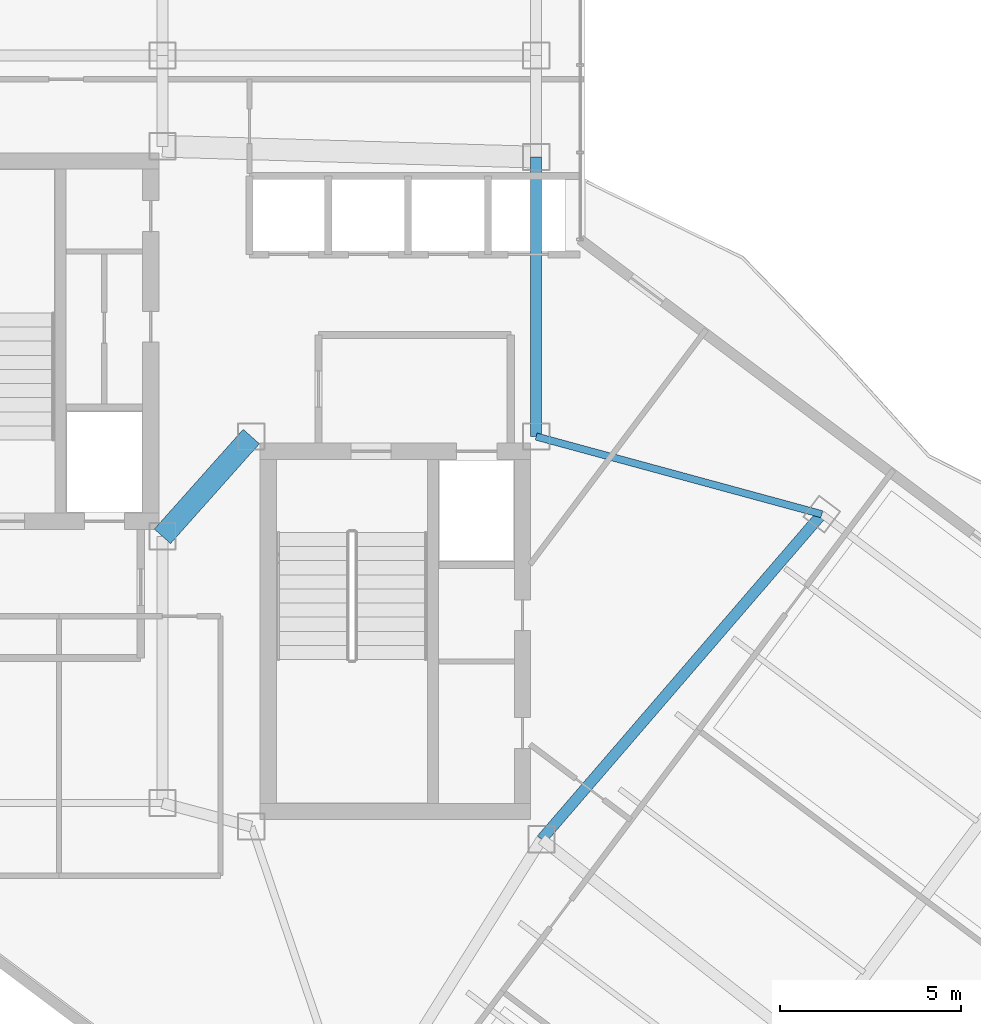
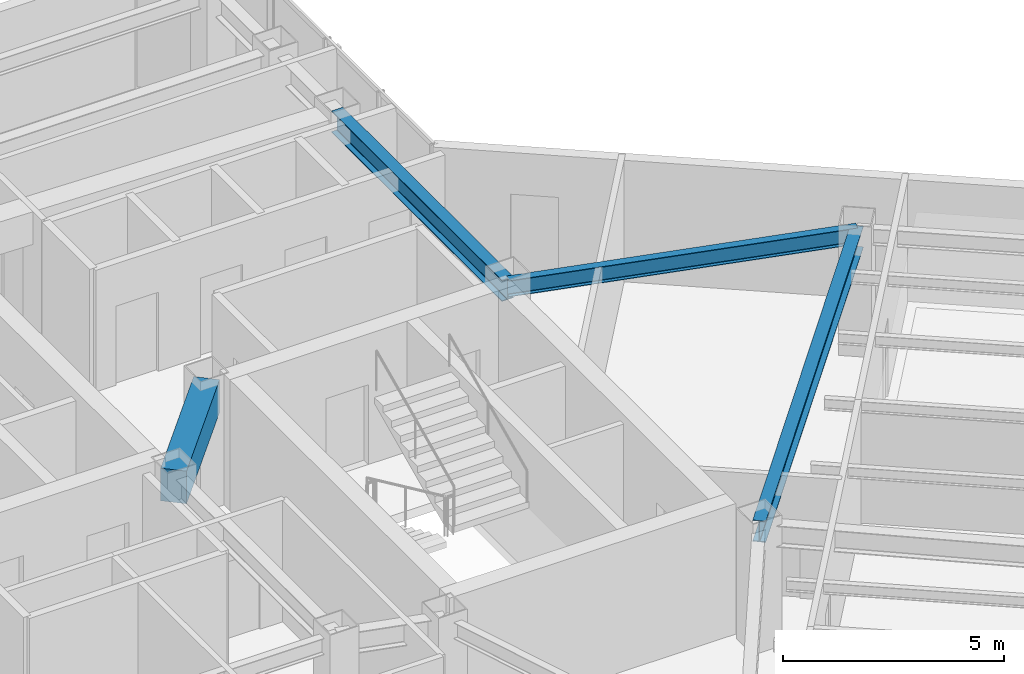
# One storey, part 9 of 26: 4 beams.
"""IFC4 building model written with IfcOpenShell, lengths in metres."""

from ifc_helpers import new_model, si_unit, direction, frame, origin, origin_2d, place, context, subcontext, project, spatial, rectangle, i_section, extrude, material, material_profile, profile_set, type_object, element, save


model = new_model("IFC4")

# Units and contexts
model_context = context("Model", 3, precision=1e-05, world=origin(), true_north=direction((0.0, 1.0)))
body_context = subcontext(model_context, "Body", "Model", "MODEL_VIEW")
ifc_project = project(units=[si_unit("LENGTHUNIT", "METRE"), si_unit("AREAUNIT", "SQUARE_METRE"), si_unit("VOLUMEUNIT", "CUBIC_METRE"), si_unit("PLANEANGLEUNIT", "RADIAN"), si_unit("MASSUNIT", "GRAM", prefix="KILO")], contexts=[model_context])

# Site, building, storey
site_placement = place(None, origin())
site = spatial("IfcSite", under=ifc_project, at=site_placement, CompositionType="ELEMENT")
building_placement = place(site_placement, origin())
building = spatial("IfcBuilding", under=site, at=building_placement, Name="Hatsunagi Terrace Concourse", CompositionType="ELEMENT")
storey_placement = place(building_placement, frame((0.0, 0.0, 198.75)))
storey = spatial("IfcBuildingStorey", under=building, at=storey_placement, Name="L52", CompositionType="ELEMENT", Elevation=198.75)

# Beams
ifc_material_1 = material(Name="Concrete Fc42", Category="concrete")
ifc_material_profile_1 = material_profile(ifc_material_1, rectangle(XDim=0.60009765625, YDim=0.89990234375, at=origin_2d()), Name="RC-600x900")
ifc_profile_set_1 = profile_set([ifc_material_profile_1], Name="Concrete Fc42")
beam_type_1 = type_object("IfcBeamType", Name="CoreCouplingBeam_RC_600x900", PredefinedType="BEAM", material=ifc_profile_set_1)
beam_1_placement = place(storey_placement, frame((33.35009765625, 32.550048828125, 2.89990234375), z_axis=(0.665198651008, 0.746666427997, 0.0), x_axis=(-0.746666427997, 0.665198651008, 0.0)))
element("IfcBeam", 1, at=beam_1_placement, inside=storey, type_object=beam_type_1, Name="Beam CB-03 CB-L52-1", PredefinedType="BEAM", context=body_context, shape_type="SweptSolid", body=[
    extrude(rectangle(XDim=0.60009765625, YDim=0.89990234375, at=origin_2d()), origin(), (0.0, 0.0, 1.0), 3.68310546875),
])
ifc_material_2 = material(Name="Steel SN490B", Category="steel")
ifc_material_profile_2 = material_profile(ifc_material_2, i_section(OverallWidth=0.300048828125, OverallDepth=0.587890625, WebThickness=0.011962890625, FlangeThickness=0.02001953125, FilletRadius=0.01806640625, at=origin_2d()), Name="H-588x300x12x20")
ifc_profile_set_2 = profile_set([ifc_material_profile_2], Name="Steel SN490B")
beam_type_2 = type_object("IfcBeamType", Name="OfficeHighGirder_H_588x300", PredefinedType="BEAM", material=ifc_profile_set_2)
beam_2_placement = place(storey_placement, frame((43.64990234375, 35.300048828125, 3.055908203125), z_axis=(0.0, 1.0, 0.0), x_axis=(-1.0, 0.0, 0.0)))
element("IfcBeam", 2, at=beam_2_placement, inside=storey, type_object=beam_type_2, Name="Beam G-06 BM-L52-CBK3", PredefinedType="BEAM", context=body_context, shape_type="SweptSolid", body=[
    extrude(i_section(OverallWidth=0.300048828125, OverallDepth=0.587890625, WebThickness=0.011962890625, FlangeThickness=0.02001953125, FilletRadius=0.01806640625, at=origin_2d()), origin(), (0.0, 0.0, 1.0), 7.699951171875),
])
beam_3_placement = place(storey_placement, frame((43.800048828125, 24.199951171875, 3.055908203125), z_axis=(0.652739101421, 0.757582777969, 0.0), x_axis=(-0.757582777969, 0.652739101421, 0.0)))
element("IfcBeam", 3, at=beam_3_placement, inside=storey, type_object=beam_type_2, Name="Beam G-06 BM-L52-SET-1B", PredefinedType="BEAM", context=body_context, shape_type="SweptSolid", body=[
    extrude(i_section(OverallWidth=0.300048828125, OverallDepth=0.587890625, WebThickness=0.011962890625, FlangeThickness=0.02001953125, FilletRadius=0.01806640625, at=origin_2d()), origin(), (0.0, 0.0, 1.0), 11.8271484375),
])
ifc_material_3 = material(Name="Steel SN490B", Category="steel")
ifc_material_profile_3 = material_profile(ifc_material_3, i_section(OverallWidth=0.199951171875, OverallDepth=0.449951171875, WebThickness=0.009033203125, FlangeThickness=0.013916015625, FilletRadius=0.01611328125, at=origin_2d()), Name="H-450x200x9x14")
ifc_profile_set_3 = profile_set([ifc_material_profile_3], Name="Steel SN490B")
beam_type_3 = type_object("IfcBeamType", Name="PerimeterSpandrel_H_450x200", PredefinedType="SPANDREL", material=ifc_profile_set_3)
beam_4_placement = place(storey_placement, frame((43.64990234375, 35.300048828125, 3.125), z_axis=(0.964958359286, -0.262403057994, 0.0), x_axis=(0.262403057994, 0.964958359286, 0.0)))
element("IfcBeam", 4, at=beam_4_placement, inside=storey, type_object=beam_type_3, Name="Beam SP-02 BM-L52-SE-NE0", PredefinedType="SPANDREL", context=body_context, shape_type="SweptSolid", body=[
    extrude(i_section(OverallWidth=0.199951171875, OverallDepth=0.449951171875, WebThickness=0.009033203125, FlangeThickness=0.013916015625, FilletRadius=0.01611328125, at=origin_2d()), origin(), (0.0, 0.0, 1.0), 8.156005859375),
])

save(model, "model.ifc")
